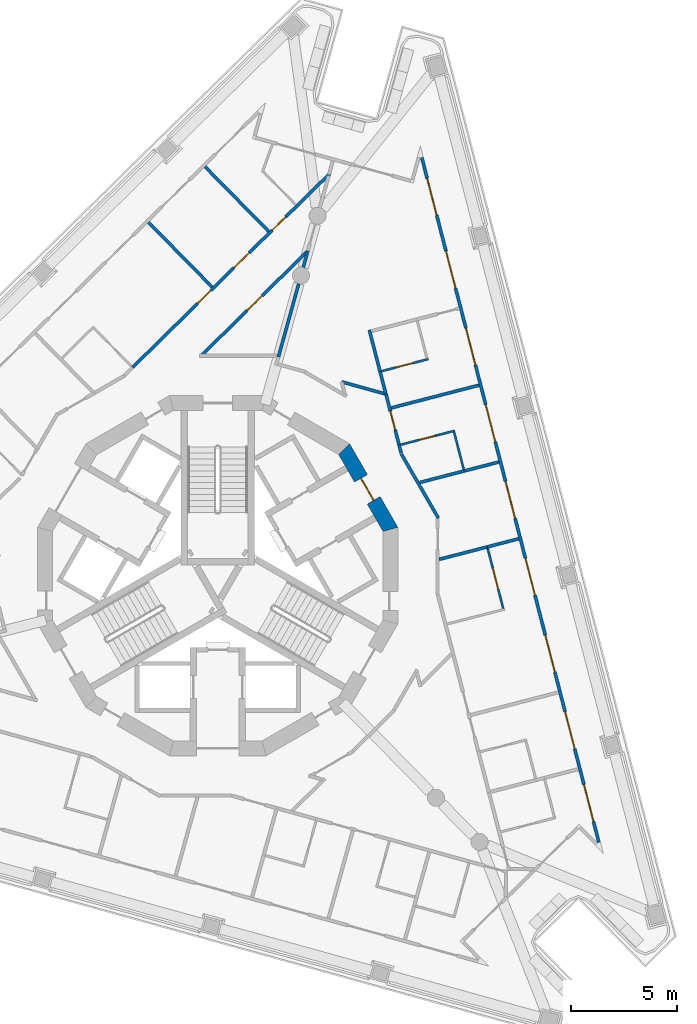
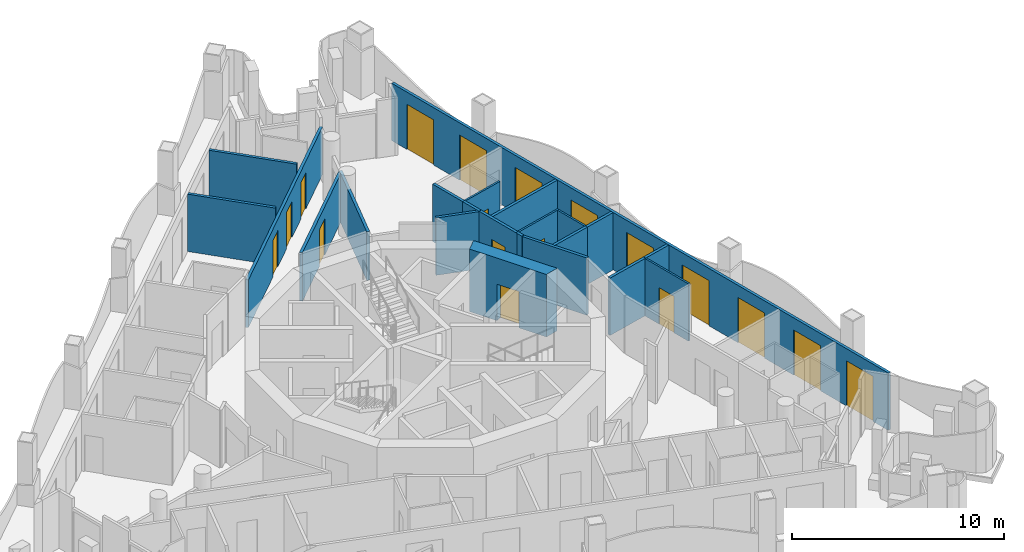
# One storey, part 7 of 14: 22 walls, 18 doors, 18 openings.
"""IFC4 building model written with IfcOpenShell, lengths in metres."""

from ifc_helpers import new_model, si_unit, direction, frame, frame_2d, origin, place, context, subcontext, project, spatial, polyline, rectangle, outline, extrude, material, layer, layer_set, type_object, element, fill, save


model = new_model("IFC4")

# Units and contexts
model_context = context("Model", 3, precision=1e-05, world=origin(), true_north=direction((0.0, 1.0)))
body_context = subcontext(model_context, "Body", "Model", "MODEL_VIEW")
ifc_project = project(units=[si_unit("LENGTHUNIT", "METRE"), si_unit("AREAUNIT", "SQUARE_METRE"), si_unit("VOLUMEUNIT", "CUBIC_METRE"), si_unit("PLANEANGLEUNIT", "RADIAN"), si_unit("MASSUNIT", "GRAM", prefix="KILO")], contexts=[model_context])

# Site, building, storey
site_placement = place(None, origin())
site = spatial("IfcSite", under=ifc_project, at=site_placement, CompositionType="ELEMENT")
building_placement = place(site_placement, origin())
building = spatial("IfcBuilding", under=site, at=building_placement, Name="Trine Commons Tower", CompositionType="ELEMENT")
storey_placement = place(building_placement, frame((0.0, 0.0, 252.89990234375)))
storey = spatial("IfcBuildingStorey", under=building, at=storey_placement, Name="L66", CompositionType="ELEMENT", Elevation=252.89990234375)

# Wall, openings, doors
ifc_material_1 = material(Name="Aluminium-framed insulated wall panel", Category="aluminium")
ifc_layer_1 = layer(ifc_material_1, 0.14990234375)
ifc_layer_set_1 = layer_set([ifc_layer_1], Name="Aluminium-framed insulated wall panel")
wall_type_1 = type_object("IfcWallType", Name="Glazed frame wall 150, EI 60", PredefinedType="SOLIDWALL", material=ifc_layer_set_1)
wall_1_placement = place(storey_placement, frame((89.59130859375, 82.377685546875, 0.0), z_axis=(0.0, 0.0, 1.0), x_axis=(0.250378839788, -0.968147941477, 0.0)))
wall_1 = element("IfcWall", 1, at=wall_1_placement, inside=storey, type_object=wall_type_1, Name="Glazed frame wall F2", PredefinedType="SOLIDWALL", context=body_context, shape_type="SweptSolid", body=[
    extrude(outline(polyline([(0.1494140625, 0.074951171875), (0.1494140625, -0.074951171875), (33.536865234375, -0.074951171875), (33.536865234375, 0.074951171875), (0.1494140625, 0.074951171875)])), origin(), (0.0, 0.0, 1.0), 3.300048828125),
])
opening_1_placement = place(wall_1_placement, frame((1.17138671875, 0.0, 0.0)))
opening_1 = element("IfcOpeningElement", 2, at=opening_1_placement, cuts=wall_1, Name="Opening BD-7F2-01", PredefinedType="OPENING", context=body_context, shape_type="SweptSolid", body=[
    extrude(rectangle(XDim=1.800048828125, YDim=2.60009765625, at=frame_2d((0.89990234375, 1.300048828125))), frame((0.0, 0.0849609375, 0.0), z_axis=(0.0, -1.0, 0.0), x_axis=(1.0, 0.0, 0.0)), (0.0, 0.0, 1.0), 0.169921875),
])
opening_2_placement = place(wall_1_placement, frame((4.71435546875, 0.0, 0.0)))
opening_2 = element("IfcOpeningElement", 3, at=opening_2_placement, cuts=wall_1, Name="Opening BD-7F2-02", PredefinedType="OPENING", context=body_context, shape_type="SweptSolid", body=[
    extrude(rectangle(XDim=1.800048828125, YDim=2.60009765625, at=frame_2d((0.89990234375, 1.300048828125))), frame((0.0, 0.0849609375, 0.0), z_axis=(0.0, -1.0, 0.0), x_axis=(1.0, 0.0, 0.0)), (0.0, 0.0, 1.0), 0.169921875),
])
opening_3_placement = place(wall_1_placement, frame((8.457275390625, 0.0, 0.0)))
opening_3 = element("IfcOpeningElement", 4, at=opening_3_placement, cuts=wall_1, Name="Opening BD-7F2-03", PredefinedType="OPENING", context=body_context, shape_type="SweptSolid", body=[
    extrude(rectangle(XDim=1.800048828125, YDim=2.60009765625, at=frame_2d((0.89990234375, 1.300048828125))), frame((0.0, 0.0849609375, 0.0), z_axis=(0.0, -1.0, 0.0), x_axis=(1.0, 0.0, 0.0)), (0.0, 0.0, 1.0), 0.169921875),
])
opening_4_placement = place(wall_1_placement, frame((12.2001953125, 0.0, 0.0)))
opening_4 = element("IfcOpeningElement", 5, at=opening_4_placement, cuts=wall_1, Name="Opening BD-7F2-04", PredefinedType="OPENING", context=body_context, shape_type="SweptSolid", body=[
    extrude(rectangle(XDim=1.800048828125, YDim=2.60009765625, at=frame_2d((0.89990234375, 1.300048828125))), frame((0.0, 0.0849609375, 0.0), z_axis=(0.0, -1.0, 0.0), x_axis=(1.0, 0.0, 0.0)), (0.0, 0.0, 1.0), 0.169921875),
])
opening_5_placement = place(wall_1_placement, frame((15.943115234375, 0.0, 0.0)))
opening_5 = element("IfcOpeningElement", 6, at=opening_5_placement, cuts=wall_1, Name="Opening BD-7F2-05", PredefinedType="OPENING", context=body_context, shape_type="SweptSolid", body=[
    extrude(rectangle(XDim=1.800048828125, YDim=2.60009765625, at=frame_2d((0.89990234375, 1.300048828125))), frame((0.0, 0.0849609375, 0.0), z_axis=(0.0, -1.0, 0.0), x_axis=(1.0, 0.0, 0.0)), (0.0, 0.0, 1.0), 0.169921875),
])
opening_6_placement = place(wall_1_placement, frame((19.68603515625, 0.0, 0.0)))
opening_6 = element("IfcOpeningElement", 7, at=opening_6_placement, cuts=wall_1, Name="Opening BD-7F2-06", PredefinedType="OPENING", context=body_context, shape_type="SweptSolid", body=[
    extrude(rectangle(XDim=1.800048828125, YDim=2.60009765625, at=frame_2d((0.89990234375, 1.300048828125))), frame((0.0, 0.0849609375, 0.0), z_axis=(0.0, -1.0, 0.0), x_axis=(1.0, 0.0, 0.0)), (0.0, 0.0, 1.0), 0.169921875),
])
opening_7_placement = place(wall_1_placement, frame((23.428955078125, 0.0, 0.0)))
opening_7 = element("IfcOpeningElement", 8, at=opening_7_placement, cuts=wall_1, Name="Opening BD-7F2-07", PredefinedType="OPENING", context=body_context, shape_type="SweptSolid", body=[
    extrude(rectangle(XDim=1.800048828125, YDim=2.60009765625, at=frame_2d((0.89990234375, 1.300048828125))), frame((0.0, 0.0849609375, 0.0), z_axis=(0.0, -1.0, 0.0), x_axis=(1.0, 0.0, 0.0)), (0.0, 0.0, 1.0), 0.169921875),
])
opening_8_placement = place(wall_1_placement, frame((27.171875, 0.0, 0.0)))
opening_8 = element("IfcOpeningElement", 9, at=opening_8_placement, cuts=wall_1, Name="Opening BD-7F2-08", PredefinedType="OPENING", context=body_context, shape_type="SweptSolid", body=[
    extrude(rectangle(XDim=1.800048828125, YDim=2.60009765625, at=frame_2d((0.89990234375, 1.300048828125))), frame((0.0, 0.0849609375, 0.0), z_axis=(0.0, -1.0, 0.0), x_axis=(1.0, 0.0, 0.0)), (0.0, 0.0, 1.0), 0.169921875),
])
opening_9_placement = place(wall_1_placement, frame((30.714599609375, 0.0, 0.0)))
opening_9 = element("IfcOpeningElement", 10, at=opening_9_placement, cuts=wall_1, Name="Opening BD-7F2-09", PredefinedType="OPENING", context=body_context, shape_type="SweptSolid", body=[
    extrude(rectangle(XDim=1.800048828125, YDim=2.60009765625, at=frame_2d((0.89990234375, 1.300048828125))), frame((0.0, 0.0849609375, 0.0), z_axis=(0.0, -1.0, 0.0), x_axis=(1.0, 0.0, 0.0)), (0.0, 0.0, 1.0), 0.169921875),
])
ifc_material_2 = material(Name="Anodised aluminium frame with double glazing", Category="aluminium")
door_type_1 = type_object("IfcDoorType", Name="Sliding loggia door 1800x2600", OperationType="SLIDING_TO_LEFT", PredefinedType="DOOR", material=ifc_material_2)
door_1_placement = place(opening_1_placement, origin())
door_1 = element("IfcDoor", 11, at=door_1_placement, inside=storey, type_object=door_type_1, Name="Loggia door F2 1", OperationType="SLIDING_TO_LEFT", OverallHeight=2.60009765625, OverallWidth=1.800048828125, PredefinedType="DOOR", context=body_context, shape_type="SweptSolid", body=[
    extrude(rectangle(XDim=1.800048828125, YDim=2.60009765625, at=frame_2d((0.89990234375, 1.300048828125))), frame((0.0, 0.02490234375, 0.0), z_axis=(0.0, -1.0, 0.0), x_axis=(1.0, 0.0, 0.0)), (0.0, 0.0, 1.0), 0.050048828125),
])
fill(opening_1, door_1)
door_2_placement = place(opening_2_placement, origin())
door_2 = element("IfcDoor", 12, at=door_2_placement, inside=storey, type_object=door_type_1, Name="Loggia door F2 2", OperationType="SLIDING_TO_LEFT", OverallHeight=2.60009765625, OverallWidth=1.800048828125, PredefinedType="DOOR", context=body_context, shape_type="SweptSolid", body=[
    extrude(rectangle(XDim=1.800048828125, YDim=2.60009765625, at=frame_2d((0.89990234375, 1.300048828125))), frame((0.0, 0.02490234375, 0.0), z_axis=(0.0, -1.0, 0.0), x_axis=(1.0, 0.0, 0.0)), (0.0, 0.0, 1.0), 0.050048828125),
])
fill(opening_2, door_2)
door_3_placement = place(opening_3_placement, origin())
door_3 = element("IfcDoor", 13, at=door_3_placement, inside=storey, type_object=door_type_1, Name="Loggia door F2 3", OperationType="SLIDING_TO_LEFT", OverallHeight=2.60009765625, OverallWidth=1.800048828125, PredefinedType="DOOR", context=body_context, shape_type="SweptSolid", body=[
    extrude(rectangle(XDim=1.800048828125, YDim=2.60009765625, at=frame_2d((0.89990234375, 1.300048828125))), frame((0.0, 0.02490234375, 0.0), z_axis=(0.0, -1.0, 0.0), x_axis=(1.0, 0.0, 0.0)), (0.0, 0.0, 1.0), 0.050048828125),
])
fill(opening_3, door_3)
door_4_placement = place(opening_4_placement, origin())
door_4 = element("IfcDoor", 14, at=door_4_placement, inside=storey, type_object=door_type_1, Name="Loggia door F2 4", OperationType="SLIDING_TO_LEFT", OverallHeight=2.60009765625, OverallWidth=1.800048828125, PredefinedType="DOOR", context=body_context, shape_type="SweptSolid", body=[
    extrude(rectangle(XDim=1.800048828125, YDim=2.60009765625, at=frame_2d((0.89990234375, 1.300048828125))), frame((0.0, 0.02490234375, 0.0), z_axis=(0.0, -1.0, 0.0), x_axis=(1.0, 0.0, 0.0)), (0.0, 0.0, 1.0), 0.050048828125),
])
fill(opening_4, door_4)
door_5_placement = place(opening_5_placement, origin())
door_5 = element("IfcDoor", 15, at=door_5_placement, inside=storey, type_object=door_type_1, Name="Loggia door F2 5", OperationType="SLIDING_TO_LEFT", OverallHeight=2.60009765625, OverallWidth=1.800048828125, PredefinedType="DOOR", context=body_context, shape_type="SweptSolid", body=[
    extrude(rectangle(XDim=1.800048828125, YDim=2.60009765625, at=frame_2d((0.89990234375, 1.300048828125))), frame((0.0, 0.02490234375, 0.0), z_axis=(0.0, -1.0, 0.0), x_axis=(1.0, 0.0, 0.0)), (0.0, 0.0, 1.0), 0.050048828125),
])
fill(opening_5, door_5)
door_6_placement = place(opening_6_placement, origin())
door_6 = element("IfcDoor", 16, at=door_6_placement, inside=storey, type_object=door_type_1, Name="Loggia door F2 6", OperationType="SLIDING_TO_LEFT", OverallHeight=2.60009765625, OverallWidth=1.800048828125, PredefinedType="DOOR", context=body_context, shape_type="SweptSolid", body=[
    extrude(rectangle(XDim=1.800048828125, YDim=2.60009765625, at=frame_2d((0.89990234375, 1.300048828125))), frame((0.0, 0.02490234375, 0.0), z_axis=(0.0, -1.0, 0.0), x_axis=(1.0, 0.0, 0.0)), (0.0, 0.0, 1.0), 0.050048828125),
])
fill(opening_6, door_6)
door_7_placement = place(opening_7_placement, origin())
door_7 = element("IfcDoor", 17, at=door_7_placement, inside=storey, type_object=door_type_1, Name="Loggia door F2 7", OperationType="SLIDING_TO_LEFT", OverallHeight=2.60009765625, OverallWidth=1.800048828125, PredefinedType="DOOR", context=body_context, shape_type="SweptSolid", body=[
    extrude(rectangle(XDim=1.800048828125, YDim=2.60009765625, at=frame_2d((0.89990234375, 1.300048828125))), frame((0.0, 0.02490234375, 0.0), z_axis=(0.0, -1.0, 0.0), x_axis=(1.0, 0.0, 0.0)), (0.0, 0.0, 1.0), 0.050048828125),
])
fill(opening_7, door_7)
door_8_placement = place(opening_8_placement, origin())
door_8 = element("IfcDoor", 18, at=door_8_placement, inside=storey, type_object=door_type_1, Name="Loggia door F2 8", OperationType="SLIDING_TO_LEFT", OverallHeight=2.60009765625, OverallWidth=1.800048828125, PredefinedType="DOOR", context=body_context, shape_type="SweptSolid", body=[
    extrude(rectangle(XDim=1.800048828125, YDim=2.60009765625, at=frame_2d((0.89990234375, 1.300048828125))), frame((0.0, 0.02490234375, 0.0), z_axis=(0.0, -1.0, 0.0), x_axis=(1.0, 0.0, 0.0)), (0.0, 0.0, 1.0), 0.050048828125),
])
fill(opening_8, door_8)
door_9_placement = place(opening_9_placement, origin())
door_9 = element("IfcDoor", 19, at=door_9_placement, inside=storey, type_object=door_type_1, Name="Loggia door F2 9", OperationType="SLIDING_TO_LEFT", OverallHeight=2.60009765625, OverallWidth=1.800048828125, PredefinedType="DOOR", context=body_context, shape_type="SweptSolid", body=[
    extrude(rectangle(XDim=1.800048828125, YDim=2.60009765625, at=frame_2d((0.89990234375, 1.300048828125))), frame((0.0, 0.02490234375, 0.0), z_axis=(0.0, -1.0, 0.0), x_axis=(1.0, 0.0, 0.0)), (0.0, 0.0, 1.0), 0.050048828125),
])
fill(opening_9, door_9)

# Wall, opening, door
ifc_material_3 = material(Name="Concrete C50/60", Category="concrete")
ifc_layer_2 = layer(ifc_material_3, 0.699951171875)
ifc_layer_set_2 = layer_set([ifc_layer_2], Name="Concrete C50/60")
wall_type_2 = type_object("IfcWallType", Name="RC shear wall 700 mm, C50/60", PredefinedType="SHEAR", material=ifc_layer_set_2)
wall_2_placement = place(storey_placement, frame((88.197021484375, 64.6025390625, 0.0), z_axis=(0.0, 0.0, 1.0), x_axis=(-0.499983800959, 0.866034756103, 0.0)))
wall_2 = element("IfcWall", 20, at=wall_2_placement, inside=storey, type_object=wall_type_2, Name="Core wall CWG-02 L66", PredefinedType="SHEAR", context=body_context, shape_type="SweptSolid", body=[
    extrude(outline(polyline([(0.0, -0.35009765625), (4.55517578125, -0.35009765625), (4.36767578125, 0.35009765625), (0.1875, 0.35009765625), (0.0, -0.35009765625)])), origin(), (0.0, 0.0, 1.0), 3.60009765625),
])
opening_10_placement = place(wall_2_placement, frame((1.677490234375, 0.0, 0.0)))
opening_10 = element("IfcOpeningElement", 21, at=opening_10_placement, cuts=wall_2, Name="Opening K16.04", PredefinedType="OPENING", context=body_context, shape_type="SweptSolid", body=[
    extrude(rectangle(XDim=1.199951171875, YDim=2.10009765625, at=frame_2d((0.60009765625, 1.050048828125))), frame((0.0, 0.35986328125, 0.0), z_axis=(0.0, -1.0, 0.0), x_axis=(1.0, 0.0, 0.0)), (0.0, 0.0, 1.0), 0.719970703125),
])
ifc_material_4 = material(Name="Steel door leaves, fire-rated", Category="steel")
door_type_2 = type_object("IfcDoorType", Name="Lobby door, double leaf 1200 x 2100, FD60", OperationType="DOUBLE_DOOR_SINGLE_SWING", PredefinedType="DOOR", material=ifc_material_4)
door_10_placement = place(opening_10_placement, origin())
door_10 = element("IfcDoor", 22, at=door_10_placement, inside=storey, type_object=door_type_2, Name="Lobby door, Core lounge L66", OperationType="DOUBLE_DOOR_SINGLE_SWING", OverallHeight=2.10009765625, OverallWidth=1.199951171875, PredefinedType="DOOR", context=body_context, shape_type="SweptSolid", body=[
    extrude(rectangle(XDim=1.199951171875, YDim=2.10009765625, at=frame_2d((0.60009765625, 1.050048828125))), frame((0.0, 0.02490234375, 0.0), z_axis=(0.0, -1.0, 0.0), x_axis=(1.0, 0.0, 0.0)), (0.0, 0.0, 1.0), 0.050048828125),
])
fill(opening_10, door_10)

# Wall, openings, doors
ifc_material_5 = material(Name="Gypsum plasterboard on steel stud", Category="steel")
ifc_layer_3 = layer(ifc_material_5, 0.14990234375)
ifc_layer_set_3 = layer_set([ifc_layer_3], Name="Gypsum plasterboard on steel stud")
wall_type_3 = type_object("IfcWallType", Name="Unit and corridor wall 150 mm, EI 60", PredefinedType="PARTITIONING", material=ifc_layer_set_3)
wall_3_placement = place(storey_placement, frame((75.97705078125, 72.324951171875, 0.0), z_axis=(0.0, 0.0, 1.0), x_axis=(0.713220688221, 0.700939547959, 0.0)))
wall_3 = element("IfcWall", 23, at=wall_3_placement, inside=storey, type_object=wall_type_3, Name="Partition 042", PredefinedType="PARTITIONING", context=body_context, shape_type="SweptSolid", body=[
    extrude(rectangle(XDim=13.08056640625, YDim=0.14990234375, at=frame_2d((6.540283203125, 0.0))), origin(), (0.0, 0.0, 1.0), 2.75),
])
opening_11_placement = place(wall_3_placement, frame((4.290283203125, 0.0, 0.0)))
opening_11 = element("IfcOpeningElement", 24, at=opening_11_placement, cuts=wall_3, Name="Opening D-7B07", PredefinedType="OPENING", context=body_context, shape_type="SweptSolid", body=[
    extrude(rectangle(XDim=0.89990234375, YDim=2.10009765625, at=frame_2d((0.449951171875, 1.050048828125))), frame((0.0, 0.0849609375, 0.0), z_axis=(0.0, -1.0, 0.0), x_axis=(1.0, 0.0, 0.0)), (0.0, 0.0, 1.0), 0.169921875),
])
opening_12_placement = place(wall_3_placement, frame((6.711669921875, 0.0, 0.0)))
opening_12 = element("IfcOpeningElement", 25, at=opening_12_placement, cuts=wall_3, Name="Opening D-7B08", PredefinedType="OPENING", context=body_context, shape_type="SweptSolid", body=[
    extrude(rectangle(XDim=1.0, YDim=2.10009765625, at=frame_2d((0.5, 1.050048828125))), frame((0.0, 0.0849609375, 0.0), z_axis=(0.0, -1.0, 0.0), x_axis=(1.0, 0.0, 0.0)), (0.0, 0.0, 1.0), 0.169921875),
])
opening_13_placement = place(wall_3_placement, frame((9.233154296875, 0.0, 0.0)))
opening_13 = element("IfcOpeningElement", 26, at=opening_13_placement, cuts=wall_3, Name="Opening D-7B09", PredefinedType="OPENING", context=body_context, shape_type="SweptSolid", body=[
    extrude(rectangle(XDim=0.89990234375, YDim=2.10009765625, at=frame_2d((0.449951171875, 1.050048828125))), frame((0.0, 0.0849609375, 0.0), z_axis=(0.0, -1.0, 0.0), x_axis=(1.0, 0.0, 0.0)), (0.0, 0.0, 1.0), 0.169921875),
])
ifc_material_6 = material(Name="Painted timber", Category="wood")
door_type_3 = type_object("IfcDoorType", Name="Amenity room door 1000 x 2100, NOT RATED", OperationType="NOTDEFINED", PredefinedType="DOOR", material=ifc_material_6)
door_11_placement = place(opening_12_placement, origin())
door_11 = element("IfcDoor", 27, at=door_11_placement, inside=storey, type_object=door_type_3, Name="Door D-7B08", OperationType="SINGLE_SWING_RIGHT", OverallHeight=2.10009765625, OverallWidth=1.0, PredefinedType="DOOR", context=body_context, shape_type="SweptSolid", body=[
    extrude(rectangle(XDim=1.0, YDim=2.10009765625, at=frame_2d((0.5, 1.050048828125))), frame((0.0, 0.02490234375, 0.0), z_axis=(0.0, -1.0, 0.0), x_axis=(1.0, 0.0, 0.0)), (0.0, 0.0, 1.0), 0.050048828125),
])
fill(opening_12, door_11)
ifc_material_7 = material(Name="Timber fire door set", Category="wood")
door_type_4 = type_object("IfcDoorType", Name="Bedroom door 900 x 2100, FD30S", OperationType="NOTDEFINED", PredefinedType="DOOR", material=ifc_material_7)
door_12_placement = place(opening_11_placement, origin())
door_12 = element("IfcDoor", 28, at=door_12_placement, inside=storey, type_object=door_type_4, Name="Door D-7B07", OperationType="SINGLE_SWING_LEFT", OverallHeight=2.10009765625, OverallWidth=0.89990234375, PredefinedType="DOOR", context=body_context, shape_type="SweptSolid", body=[
    extrude(rectangle(XDim=0.89990234375, YDim=2.10009765625, at=frame_2d((0.449951171875, 1.050048828125))), frame((0.0, 0.02490234375, 0.0), z_axis=(0.0, -1.0, 0.0), x_axis=(1.0, 0.0, 0.0)), (0.0, 0.0, 1.0), 0.050048828125),
])
fill(opening_11, door_12)
door_13_placement = place(opening_13_placement, origin())
door_13 = element("IfcDoor", 29, at=door_13_placement, inside=storey, type_object=door_type_4, Name="Door D-7B09", OperationType="SINGLE_SWING_RIGHT", OverallHeight=2.10009765625, OverallWidth=0.89990234375, PredefinedType="DOOR", context=body_context, shape_type="SweptSolid", body=[
    extrude(rectangle(XDim=0.89990234375, YDim=2.10009765625, at=frame_2d((0.449951171875, 1.050048828125))), frame((0.0, 0.02490234375, 0.0), z_axis=(0.0, -1.0, 0.0), x_axis=(1.0, 0.0, 0.0)), (0.0, 0.0, 1.0), 0.050048828125),
])
fill(opening_13, door_13)

# Wall
wall_4_placement = place(storey_placement, frame((76.72998046875, 79.177490234375, 0.0), z_axis=(0.0, 0.0, 1.0), x_axis=(0.70095501421, -0.713205487958, 0.0)))
element("IfcWall", 30, at=wall_4_placement, inside=storey, type_object=wall_type_3, Name="Partition 043", PredefinedType="PARTITIONING", context=body_context, shape_type="SweptSolid", body=[
    extrude(rectangle(XDim=4.28466796875, YDim=0.14990234375, at=frame_2d((2.142333984375, 0.0))), origin(), (0.0, 0.0, 1.0), 3.300048828125),
])

# Wall, opening, door
wall_5_placement = place(storey_placement, frame((79.265380859375, 72.927490234375, 0.0), z_axis=(0.0, 0.0, 1.0), x_axis=(0.713171352484, 0.700989744572, 0.0)))
wall_5 = element("IfcWall", 31, at=wall_5_placement, inside=storey, type_object=wall_type_3, Name="Partition 047", PredefinedType="PARTITIONING", context=body_context, shape_type="SweptSolid", body=[
    extrude(rectangle(XDim=6.914306640625, YDim=0.14990234375, at=frame_2d((3.45703125, 0.0))), origin(), (0.0, 0.0, 1.0), 2.800048828125),
])
opening_14_placement = place(wall_5_placement, frame((2.95703125, 0.0, 0.0)))
opening_14 = element("IfcOpeningElement", 32, at=opening_14_placement, cuts=wall_5, Name="Opening D-7B25", PredefinedType="OPENING", context=body_context, shape_type="SweptSolid", body=[
    extrude(rectangle(XDim=1.0, YDim=2.10009765625, at=frame_2d((0.5, 1.050048828125))), frame((0.0, 0.0849609375, 0.0), z_axis=(0.0, -1.0, 0.0), x_axis=(1.0, 0.0, 0.0)), (0.0, 0.0, 1.0), 0.169921875),
])
door_type_5 = type_object("IfcDoorType", Name="Toilet door 1000 x 2100, NOT RATED", OperationType="NOTDEFINED", PredefinedType="DOOR", material=ifc_material_6)
door_14_placement = place(opening_14_placement, frame((1.0, 0.0, 0.0), z_axis=(0.0, 0.0, 1.0), x_axis=(-1.0, 0.0, 0.0)))
door_14 = element("IfcDoor", 33, at=door_14_placement, inside=storey, type_object=door_type_5, Name="Door D-7B25", OperationType="SINGLE_SWING_RIGHT", OverallHeight=2.10009765625, OverallWidth=1.0, PredefinedType="DOOR", context=body_context, shape_type="SweptSolid", body=[
    extrude(rectangle(XDim=1.0, YDim=2.10009765625, at=frame_2d((0.5, 1.050048828125))), frame((0.0, 0.02490234375, 0.0), z_axis=(0.0, -1.0, 0.0), x_axis=(1.0, 0.0, 0.0)), (0.0, 0.0, 1.0), 0.050048828125),
])
fill(opening_14, door_14)

# Walls
wall_6_placement = place(storey_placement, frame((79.39892578125, 81.801513671875, 0.0), z_axis=(0.0, 0.0, 1.0), x_axis=(0.70095501421, -0.713205487958, 0.0)))
element("IfcWall", 34, at=wall_6_placement, inside=storey, type_object=wall_type_3, Name="Partition 048", PredefinedType="PARTITIONING", context=body_context, shape_type="SweptSolid", body=[
    extrude(rectangle(XDim=4.28466796875, YDim=0.14990234375, at=frame_2d((2.142333984375, 0.0))), origin(), (0.0, 0.0, 1.0), 3.300048828125),
])
wall_7_placement = place(storey_placement, frame((82.863037109375, 72.822998046875, 0.0), z_axis=(0.0, 0.0, 1.0), x_axis=(0.267297315726, 0.963614105857, 0.0)))
element("IfcWall", 35, at=wall_7_placement, inside=storey, type_object=wall_type_3, Name="Partition 058", PredefinedType="PARTITIONING", context=body_context, shape_type="SweptSolid", body=[
    extrude(rectangle(XDim=5.196044921875, YDim=0.14990234375, at=frame_2d((2.59814453125, 0.0))), origin(), (0.0, 0.0, 1.0), 2.800048828125),
])
wall_8_placement = place(storey_placement, frame((85.85205078125, 71.64599609375, 0.0), z_axis=(0.0, 0.0, 1.0), x_axis=(0.963638385721, -0.267209770713, 0.0)))
element("IfcWall", 36, at=wall_8_placement, inside=storey, type_object=wall_type_3, Name="Partition 069", PredefinedType="PARTITIONING", context=body_context, shape_type="SweptSolid", body=[
    extrude(rectangle(XDim=2.088623046875, YDim=0.14990234375, at=frame_2d((1.04443359375, 0.0))), origin(), (0.0, 0.0, 1.0), 3.300048828125),
])
wall_9_placement = place(storey_placement, frame((87.1533203125, 74.092529296875, 0.0), z_axis=(0.0, 0.0, 1.0), x_axis=(0.250236698058, -0.968184690514, 0.0)))
element("IfcWall", 37, at=wall_9_placement, inside=storey, type_object=wall_type_3, Name="Partition 072", PredefinedType="PARTITIONING", context=body_context, shape_type="SweptSolid", body=[
    extrude(rectangle(XDim=2.0791015625, YDim=0.14990234375, at=frame_2d((1.03955078125, 0.0))), origin(), (0.0, 0.0, 1.0), 3.300048828125),
])
wall_10_placement = place(storey_placement, frame((87.658935546875, 72.135986328125, 0.0), z_axis=(0.0, 0.0, 1.0), x_axis=(0.250686204405, -0.968068399919, 0.0)))
element("IfcWall", 38, at=wall_10_placement, inside=storey, type_object=wall_type_3, Name="Partition 076", PredefinedType="PARTITIONING", context=body_context, shape_type="SweptSolid", body=[
    extrude(rectangle(XDim=1.10546875, YDim=0.14990234375, at=frame_2d((0.552734375, 0.0))), origin(), (0.0, 0.0, 1.0), 3.300048828125),
])

# Wall, opening, door
wall_11_placement = place(storey_placement, frame((87.93798828125, 71.06689453125, 0.0), z_axis=(0.0, 0.0, 1.0), x_axis=(0.250288033439, -0.968171420936, 0.0)))
wall_11 = element("IfcWall", 39, at=wall_11_placement, inside=storey, type_object=wall_type_3, Name="Partition 078", PredefinedType="PARTITIONING", context=body_context, shape_type="SweptSolid", body=[
    extrude(rectangle(XDim=2.5390625, YDim=0.14990234375, at=frame_2d((1.26953125, 0.0))), origin(), (0.0, 0.0, 1.0), 3.300048828125),
])
opening_15_placement = place(wall_11_placement, frame((0.84228515625, 0.0, 0.0)))
opening_15 = element("IfcOpeningElement", 40, at=opening_15_placement, cuts=wall_11, Name="Opening D-7B11", PredefinedType="OPENING", context=body_context, shape_type="SweptSolid", body=[
    extrude(rectangle(XDim=0.89990234375, YDim=2.10009765625, at=frame_2d((0.449951171875, 1.050048828125))), frame((0.0, 0.0849609375, 0.0), z_axis=(0.0, -1.0, 0.0), x_axis=(1.0, 0.0, 0.0)), (0.0, 0.0, 1.0), 0.169921875),
])
door_15_placement = place(opening_15_placement, origin())
door_15 = element("IfcDoor", 41, at=door_15_placement, inside=storey, type_object=door_type_4, Name="Door D-7B11", OperationType="SINGLE_SWING_RIGHT", OverallHeight=2.10009765625, OverallWidth=0.89990234375, PredefinedType="DOOR", context=body_context, shape_type="SweptSolid", body=[
    extrude(rectangle(XDim=0.89990234375, YDim=2.10009765625, at=frame_2d((0.449951171875, 1.050048828125))), frame((0.0, 0.02490234375, 0.0), z_axis=(0.0, -1.0, 0.0), x_axis=(1.0, 0.0, 0.0)), (0.0, 0.0, 1.0), 0.050048828125),
])
fill(opening_15, door_15)

# Walls
wall_12_placement = place(storey_placement, frame((88.181640625, 70.414794921875, 0.0), z_axis=(0.0, 0.0, 1.0), x_axis=(0.968129527106, 0.250450032434, 0.0)))
element("IfcWall", 42, at=wall_12_placement, inside=storey, type_object=wall_type_3, Name="Partition 079", PredefinedType="PARTITIONING", context=body_context, shape_type="SweptSolid", body=[
    extrude(rectangle(XDim=4.28515625, YDim=0.14990234375, at=frame_2d((2.142578125, 0.0))), origin(), (0.0, 0.0, 1.0), 3.300048828125),
])
wall_13_placement = place(storey_placement, frame((88.5576171875, 68.670654296875, 0.0), z_axis=(0.0, 0.0, 1.0), x_axis=(0.249564283258, -0.96835823357, 0.0)))
element("IfcWall", 43, at=wall_13_placement, inside=storey, type_object=wall_type_3, Name="Partition 082", PredefinedType="PARTITIONING", context=body_context, shape_type="SweptSolid", body=[
    extrude(rectangle(XDim=0.400146484375, YDim=0.14990234375, at=frame_2d((0.2001953125, 0.0))), origin(), (0.0, 0.0, 1.0), 3.300048828125),
])
wall_14_placement = place(storey_placement, frame((88.659912109375, 68.2490234375, 0.0), z_axis=(0.0, 0.0, 1.0), x_axis=(0.500223035479, -0.865896595891, 0.0)))
element("IfcWall", 44, at=wall_14_placement, inside=storey, type_object=wall_type_3, Name="Partition 083", PredefinedType="PARTITIONING", context=body_context, shape_type="SweptSolid", body=[
    extrude(rectangle(XDim=3.50390625, YDim=0.14990234375, at=frame_2d((1.751953125, 0.0))), origin(), (0.0, 0.0, 1.0), 3.300048828125),
])
wall_15_placement = place(storey_placement, frame((89.525634765625, 66.896728515625, 0.0), z_axis=(0.0, 0.0, 1.0), x_axis=(0.96820093058, 0.250173855596, 0.0)))
element("IfcWall", 45, at=wall_15_placement, inside=storey, type_object=wall_type_3, Name="Partition 091", PredefinedType="PARTITIONING", context=body_context, shape_type="SweptSolid", body=[
    extrude(rectangle(XDim=2.17138671875, YDim=0.14990234375, at=frame_2d((1.085693359375, 0.0))), origin(), (0.0, 0.0, 1.0), 3.300048828125),
])
wall_16_placement = place(storey_placement, frame((90.447509765625, 63.268798828125, 0.0), z_axis=(0.0, 0.0, 1.0), x_axis=(0.968112624029, 0.250515363194, 0.0)))
element("IfcWall", 46, at=wall_16_placement, inside=storey, type_object=wall_type_3, Name="Partition 094", PredefinedType="PARTITIONING", context=body_context, shape_type="SweptSolid", body=[
    extrude(rectangle(XDim=2.3515625, YDim=0.14990234375, at=frame_2d((1.17578125, 0.0))), origin(), (0.0, 0.0, 1.0), 3.300048828125),
])
wall_17_placement = place(storey_placement, frame((91.6279296875, 67.43994140625, 0.0), z_axis=(0.0, 0.0, 1.0), x_axis=(0.968134256409, 0.250431750318, 0.0)))
element("IfcWall", 47, at=wall_17_placement, inside=storey, type_object=wall_type_3, Name="Partition 099", PredefinedType="PARTITIONING", context=body_context, shape_type="SweptSolid", body=[
    extrude(rectangle(XDim=1.693359375, YDim=0.14990234375, at=frame_2d((0.8466796875, 0.0))), origin(), (0.0, 0.0, 1.0), 3.300048828125),
])
wall_18_placement = place(storey_placement, frame((92.716064453125, 63.85595703125, 0.0), z_axis=(0.0, 0.0, 1.0), x_axis=(0.968129651739, 0.250449550655, 0.0)))
element("IfcWall", 48, at=wall_18_placement, inside=storey, type_object=wall_type_3, Name="Partition 104", PredefinedType="PARTITIONING", context=body_context, shape_type="SweptSolid", body=[
    extrude(rectangle(XDim=1.537353515625, YDim=0.14990234375, at=frame_2d((0.7685546875, 0.0))), origin(), (0.0, 0.0, 1.0), 3.300048828125),
])

# Wall, opening, door
ifc_layer_4 = layer(ifc_material_5, 0.10009765625)
ifc_layer_set_4 = layer_set([ifc_layer_4], Name="Gypsum plasterboard on steel stud")
wall_type_4 = type_object("IfcWallType", Name="Unit partition 100 mm, no rating", PredefinedType="PARTITIONING", material=ifc_layer_set_4)
wall_19_placement = place(storey_placement, frame((87.732666015625, 72.15087890625, 0.0), z_axis=(0.0, 0.0, 1.0), x_axis=(0.968154087165, 0.250355074856, 0.0)))
wall_19 = element("IfcWall", 49, at=wall_19_placement, inside=storey, type_object=wall_type_4, Name="Partition 077", PredefinedType="PARTITIONING", context=body_context, shape_type="SweptSolid", body=[
    extrude(rectangle(XDim=2.275146484375, YDim=0.10009765625, at=frame_2d((1.1376953125, 0.0))), origin(), (0.0, 0.0, 1.0), 3.300048828125),
])
opening_16_placement = place(wall_19_placement, frame((0.712646484375, 0.0, 0.0)))
opening_16 = element("IfcOpeningElement", 50, at=opening_16_placement, cuts=wall_19, Name="Opening D-7B30", PredefinedType="OPENING", context=body_context, shape_type="SweptSolid", body=[
    extrude(rectangle(XDim=0.800048828125, YDim=2.10009765625, at=frame_2d((0.39990234375, 1.050048828125))), frame((0.0, 0.06005859375, 0.0), z_axis=(0.0, -1.0, 0.0), x_axis=(1.0, 0.0, 0.0)), (0.0, 0.0, 1.0), 0.1201171875),
])
door_type_6 = type_object("IfcDoorType", Name="Internal door 800 x 2100, NOT RATED", OperationType="NOTDEFINED", PredefinedType="DOOR", material=ifc_material_6)
door_16_placement = place(opening_16_placement, frame((0.800048828125, 0.0, 0.0), z_axis=(0.0, 0.0, 1.0), x_axis=(-1.0, 0.0, 0.0)))
door_16 = element("IfcDoor", 51, at=door_16_placement, inside=storey, type_object=door_type_6, Name="Door D-7B30", OperationType="SINGLE_SWING_RIGHT", OverallHeight=2.10009765625, OverallWidth=0.800048828125, PredefinedType="DOOR", context=body_context, shape_type="SweptSolid", body=[
    extrude(rectangle(XDim=0.800048828125, YDim=2.10009765625, at=frame_2d((0.39990234375, 1.050048828125))), frame((0.0, 0.02490234375, 0.0), z_axis=(0.0, -1.0, 0.0), x_axis=(1.0, 0.0, 0.0)), (0.0, 0.0, 1.0), 0.050048828125),
])
fill(opening_16, door_16)

wall_20_placement = place(storey_placement, frame((88.630615234375, 68.6787109375, 0.0), z_axis=(0.0, 0.0, 1.0), x_axis=(0.968114849412, 0.250506763077, 0.0)))
wall_20 = element("IfcWall", 52, at=wall_20_placement, inside=storey, type_object=wall_type_4, Name="Partition 081", PredefinedType="PARTITIONING", context=body_context, shape_type="SweptSolid", body=[
    extrude(rectangle(XDim=2.64208984375, YDim=0.10009765625, at=frame_2d((1.321044921875, 0.0))), origin(), (0.0, 0.0, 1.0), 3.300048828125),
])
opening_17_placement = place(wall_20_placement, frame((0.89599609375, 0.0, 0.0)))
opening_17 = element("IfcOpeningElement", 53, at=opening_17_placement, cuts=wall_20, Name="Opening D-7B31", PredefinedType="OPENING", context=body_context, shape_type="SweptSolid", body=[
    extrude(rectangle(XDim=0.800048828125, YDim=2.10009765625, at=frame_2d((0.39990234375, 1.050048828125))), frame((0.0, 0.06005859375, 0.0), z_axis=(0.0, -1.0, 0.0), x_axis=(1.0, 0.0, 0.0)), (0.0, 0.0, 1.0), 0.1201171875),
])
door_17_placement = place(opening_17_placement, origin())
door_17 = element("IfcDoor", 54, at=door_17_placement, inside=storey, type_object=door_type_6, Name="Door D-7B31", OperationType="SINGLE_SWING_LEFT", OverallHeight=2.10009765625, OverallWidth=0.800048828125, PredefinedType="DOOR", context=body_context, shape_type="SweptSolid", body=[
    extrude(rectangle(XDim=0.800048828125, YDim=2.10009765625, at=frame_2d((0.39990234375, 1.050048828125))), frame((0.0, 0.02490234375, 0.0), z_axis=(0.0, -1.0, 0.0), x_axis=(1.0, 0.0, 0.0)), (0.0, 0.0, 1.0), 0.050048828125),
])
fill(opening_17, door_17)

# Wall
wall_21_placement = place(storey_placement, frame((91.152587890625, 69.279541015625, 0.0), z_axis=(0.0, 0.0, 1.0), x_axis=(0.250177423801, -0.968200008583, 0.0)))
element("IfcWall", 55, at=wall_21_placement, inside=storey, type_object=wall_type_4, Name="Partition 097", PredefinedType="PARTITIONING", context=body_context, shape_type="SweptSolid", body=[
    extrude(rectangle(XDim=1.824951171875, YDim=0.10009765625, at=frame_2d((0.91259765625, 0.0))), origin(), (0.0, 0.0, 1.0), 3.300048828125),
])

# Wall, opening, door
wall_22_placement = place(storey_placement, frame((92.73876953125, 63.784423828125, 0.0), z_axis=(0.0, 0.0, 1.0), x_axis=(0.25046104816, -0.968126677328, 0.0)))
wall_22 = element("IfcWall", 56, at=wall_22_placement, inside=storey, type_object=wall_type_4, Name="Partition 105", PredefinedType="PARTITIONING", context=body_context, shape_type="SweptSolid", body=[
    extrude(rectangle(XDim=2.92529296875, YDim=0.10009765625, at=frame_2d((1.462646484375, 0.0))), origin(), (0.0, 0.0, 1.0), 3.300048828125),
])
opening_18_placement = place(wall_22_placement, frame((0.962646484375, 0.0, 0.0)))
opening_18 = element("IfcOpeningElement", 57, at=opening_18_placement, cuts=wall_22, Name="Opening D-7B32", PredefinedType="OPENING", context=body_context, shape_type="SweptSolid", body=[
    extrude(rectangle(XDim=1.0, YDim=2.10009765625, at=frame_2d((0.5, 1.050048828125))), frame((0.0, 0.06005859375, 0.0), z_axis=(0.0, -1.0, 0.0), x_axis=(1.0, 0.0, 0.0)), (0.0, 0.0, 1.0), 0.1201171875),
])
door_type_7 = type_object("IfcDoorType", Name="Internal door 1000 x 2100, NOT RATED", OperationType="NOTDEFINED", PredefinedType="DOOR", material=ifc_material_6)
door_18_placement = place(opening_18_placement, origin())
door_18 = element("IfcDoor", 58, at=door_18_placement, inside=storey, type_object=door_type_7, Name="Door D-7B32", OperationType="SINGLE_SWING_LEFT", OverallHeight=2.10009765625, OverallWidth=1.0, PredefinedType="DOOR", context=body_context, shape_type="SweptSolid", body=[
    extrude(rectangle(XDim=1.0, YDim=2.10009765625, at=frame_2d((0.5, 1.050048828125))), frame((0.0, 0.02490234375, 0.0), z_axis=(0.0, -1.0, 0.0), x_axis=(1.0, 0.0, 0.0)), (0.0, 0.0, 1.0), 0.050048828125),
])
fill(opening_18, door_18)

save(model, "model.ifc")
